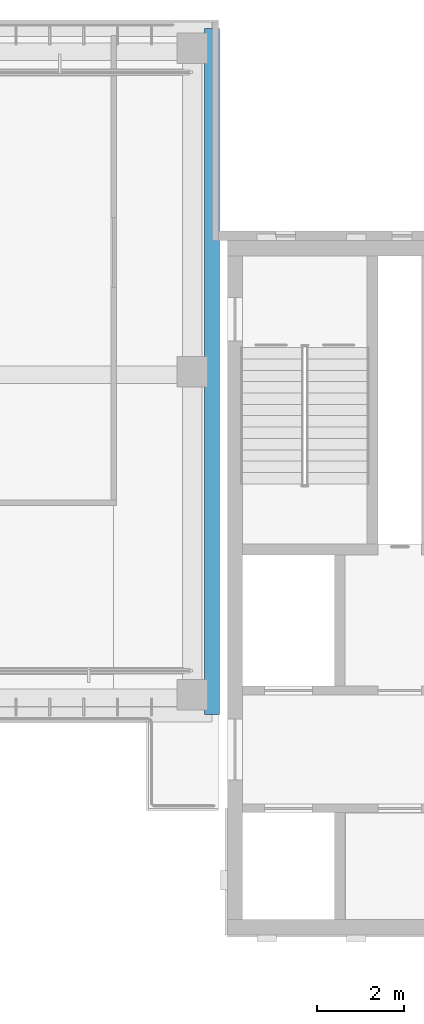
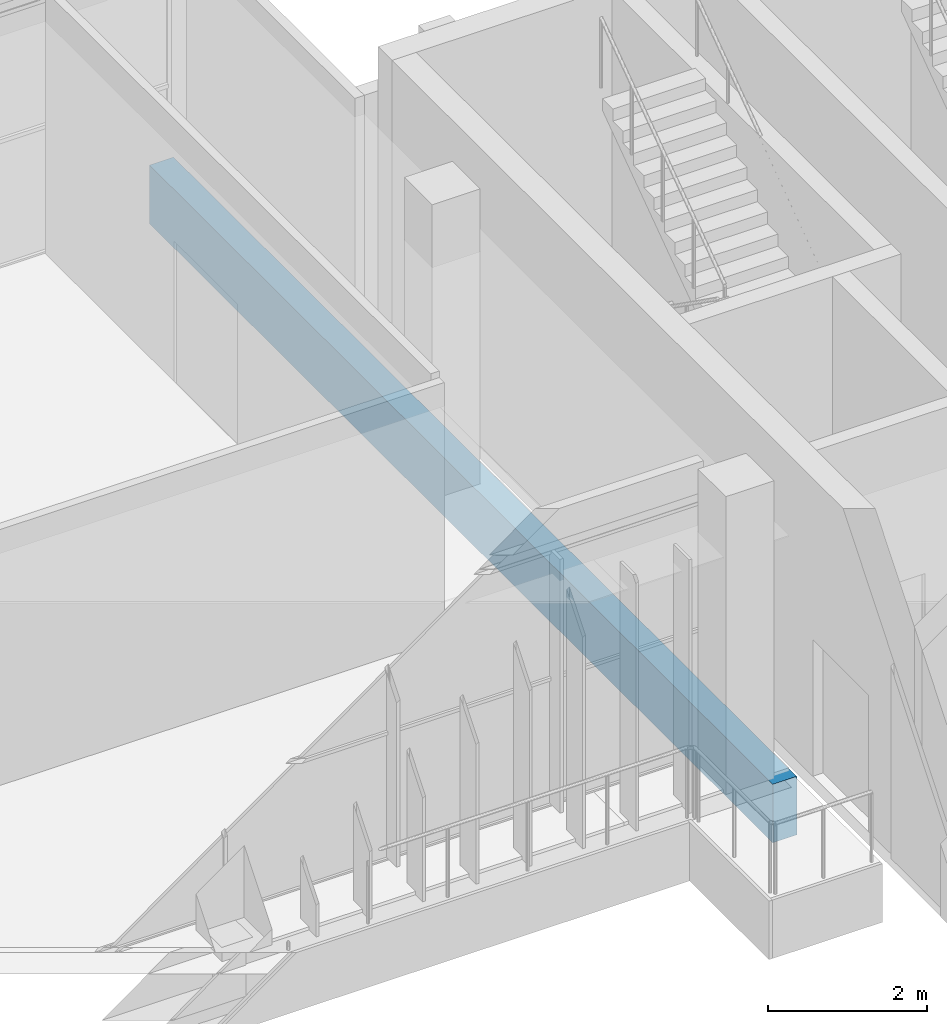
# One storey, part 32 of 73: 1 beam.
"""IFC4 building model written with IfcOpenShell, lengths in metres."""

from ifc_helpers import new_model, si_unit, direction, frame, origin, origin_2d, place, context, subcontext, project, spatial, rectangle, extrude, material, material_profile, profile_set, type_object, element, save


model = new_model("IFC4")

# Units and contexts
model_context = context("Model", 3, precision=1e-05, world=origin(), true_north=direction((0.0, 1.0)))
body_context = subcontext(model_context, "Body", "Model", "MODEL_VIEW")
ifc_project = project(units=[si_unit("LENGTHUNIT", "METRE"), si_unit("AREAUNIT", "SQUARE_METRE"), si_unit("VOLUMEUNIT", "CUBIC_METRE"), si_unit("PLANEANGLEUNIT", "RADIAN"), si_unit("MASSUNIT", "GRAM", prefix="KILO")], contexts=[model_context])

# Site, building, storey
site_placement = place(None, origin())
site = spatial("IfcSite", under=ifc_project, at=site_placement, CompositionType="ELEMENT")
building_placement = place(site_placement, origin())
building = spatial("IfcBuilding", under=site, at=building_placement, Name="Lantern Court Media Centre", CompositionType="ELEMENT")
storey_placement = place(building_placement, frame((0.0, 0.0, 24.0)))
storey = spatial("IfcBuildingStorey", under=building, at=storey_placement, Name="L05", CompositionType="ELEMENT", Elevation=24.0)

# Beam
ifc_material = material(Name="Concrete C35", Category="concrete")
ifc_material_profile = material_profile(ifc_material, rectangle(XDim=0.35009765625, YDim=0.89990234375, at=origin_2d()), Name="RC 350x900")
ifc_profile_set = profile_set([ifc_material_profile], Name="Concrete C35")
beam_type = type_object("IfcBeamType", Name="RC BEAM 350x900", PredefinedType="BEAM", material=ifc_profile_set)
beam_placement = place(storey_placement, frame((79.75, 101.14990234375, -0.449951171875), z_axis=(0.0, 1.0, 0.0), x_axis=(-1.0, 0.0, 0.0)))
element("IfcBeam", 1, at=beam_placement, inside=storey, type_object=beam_type, Name="EB-N-L05-D", PredefinedType="BEAM", context=body_context, shape_type="SweptSolid", body=[
    extrude(rectangle(XDim=0.35009765625, YDim=0.89990234375, at=origin_2d()), origin(), (0.0, 0.0, 1.0), 15.7001953125),
])

save(model, "model.ifc")
